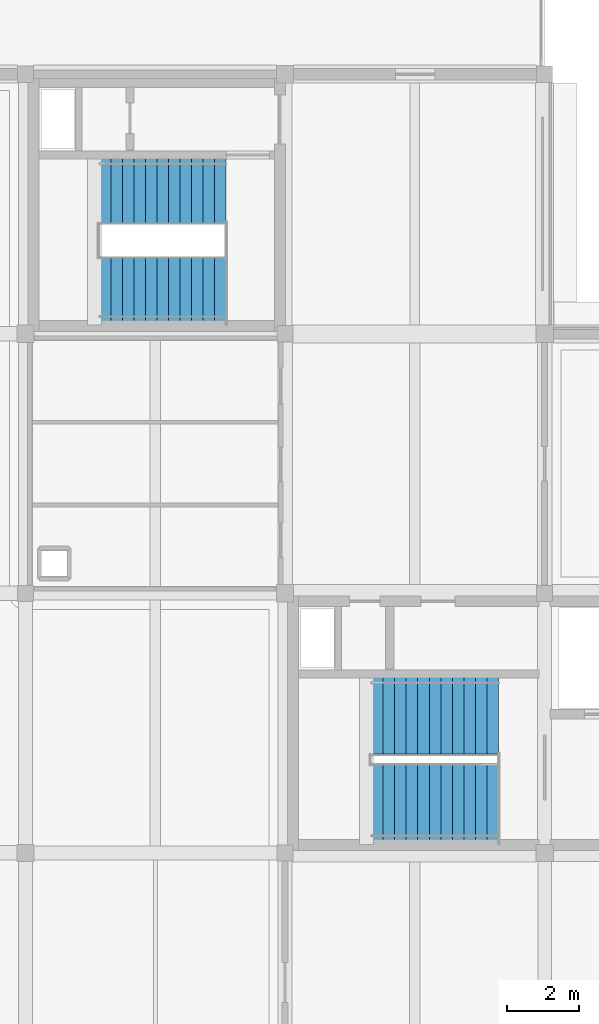
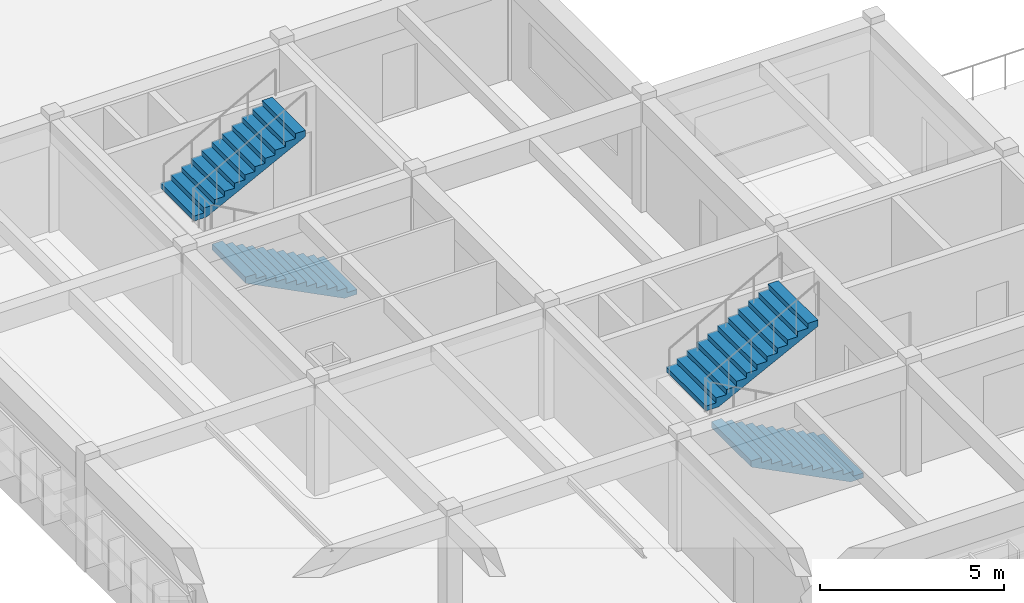
# One storey, part 5 of 7: 4 stair flights, 2 elements without a shape of their own.
"""IFC4 building model written with IfcOpenShell, lengths in metres."""

from ifc_helpers import new_model, si_unit, direction, frame, origin, place, context, subcontext, project, spatial, polyline, outline, extrude, material, type_object, element, aggregate, save


model = new_model("IFC4")

# Units and contexts
model_context = context("Model", 3, precision=1e-05, world=origin(), true_north=direction((0.0, 1.0)))
body_context = subcontext(model_context, "Body", "Model", "MODEL_VIEW")
ifc_project = project(units=[si_unit("LENGTHUNIT", "METRE"), si_unit("AREAUNIT", "SQUARE_METRE"), si_unit("VOLUMEUNIT", "CUBIC_METRE"), si_unit("PLANEANGLEUNIT", "RADIAN"), si_unit("MASSUNIT", "GRAM", prefix="KILO")], contexts=[model_context])

# Site, building, storey
site_placement = place(None, origin())
site = spatial("IfcSite", under=ifc_project, at=site_placement, CompositionType="ELEMENT")
building_placement = place(site_placement, origin())
building = spatial("IfcBuilding", under=site, at=building_placement, Name="Thalmaran Polytechnic", CompositionType="ELEMENT")
storey_placement = place(building_placement, frame((0.0, 0.0, 30.60009765625)))
storey = spatial("IfcBuildingStorey", under=building, at=storey_placement, Name="L07", CompositionType="ELEMENT", Elevation=30.60009765625)

# Stair, stair flights
ifc_material = material(Name="Concrete C40/50", Category="concrete")
stair_type = type_object("IfcStairType", Name="ST-HT39", PredefinedType="HALF_TURN_STAIR", material=ifc_material)
stair_1_placement = place(storey_placement, origin())
stair_1 = element("IfcStair", 1, at=stair_1_placement, inside=storey, type_object=stair_type, Name="Exit Stair ST1 L07", PredefinedType="HALF_TURN_STAIR")
stair_flight_type = type_object("IfcStairFlightType", Name="SF-FL12", PredefinedType="STRAIGHT", material=ifc_material)
stair_flight_1_placement = place(storey_placement, frame((20.320068359375, 8.56005859375, 0.0), z_axis=(0.0, 0.0, 1.0), x_axis=(-1.0, 0.0, 0.0)))
stair_flight_1 = element("IfcStairFlight", 2, at=stair_flight_1_placement, type_object=stair_flight_type, Name="Stair Flight ST1 L07 Lower", NumberOfRisers=12, NumberOfTreads=11, PredefinedType="STRAIGHT", RiserHeight=0.1625, TreadLength=0.32, context=body_context, shape_type="SweptSolid", body=[
    extrude(outline(polyline([(0.0, 0.0), (0.0, 0.16259765625), (0.320068359375, 0.16259765625), (0.320068359375, 0.324951171875), (0.639892578125, 0.324951171875), (0.639892578125, 0.487548828125), (0.9599609375, 0.487548828125), (0.9599609375, 0.64990234375), (1.280029296875, 0.64990234375), (1.280029296875, 0.8125), (1.60009765625, 0.8125), (1.60009765625, 0.97509765625), (1.919921875, 0.97509765625), (1.919921875, 1.137451171875), (2.239990234375, 1.137451171875), (2.239990234375, 1.300048828125), (2.56005859375, 1.300048828125), (2.56005859375, 1.46240234375), (2.8798828125, 1.46240234375), (2.8798828125, 1.625), (3.199951171875, 1.625), (3.199951171875, 1.78759765625), (3.52001953125, 1.78759765625), (3.52001953125, 1.949951171875), (3.52001953125, 1.585693359375), (0.3974609375, 0.0), (0.0, 0.0)])), frame((0.0, 1.080078125, 0.0), z_axis=(0.0, -1.0, 0.0), x_axis=(1.0, 0.0, 0.0)), (0.0, 0.0, 1.0), 2.159912109375),
])
stair_flight_2_placement = place(storey_placement, frame((16.800048828125, 11.02001953125, 1.949951171875), z_axis=(0.0, 0.0, 1.0), x_axis=(1.0, 0.0, 0.0)))
stair_flight_2 = element("IfcStairFlight", 3, at=stair_flight_2_placement, type_object=stair_flight_type, Name="Stair Flight ST1 L07 Upper", NumberOfRisers=12, NumberOfTreads=11, PredefinedType="STRAIGHT", RiserHeight=0.1625, TreadLength=0.32, context=body_context, shape_type="SweptSolid", body=[
    extrude(outline(polyline([(0.0, 0.0), (0.0, 0.16259765625), (0.320068359375, 0.16259765625), (0.320068359375, 0.324951171875), (0.639892578125, 0.324951171875), (0.639892578125, 0.487548828125), (0.9599609375, 0.487548828125), (0.9599609375, 0.64990234375), (1.280029296875, 0.64990234375), (1.280029296875, 0.8125), (1.60009765625, 0.8125), (1.60009765625, 0.97509765625), (1.919921875, 0.97509765625), (1.919921875, 1.137451171875), (2.239990234375, 1.137451171875), (2.239990234375, 1.300048828125), (2.56005859375, 1.300048828125), (2.56005859375, 1.46240234375), (2.8798828125, 1.46240234375), (2.8798828125, 1.625), (3.199951171875, 1.625), (3.199951171875, 1.78759765625), (3.52001953125, 1.78759765625), (3.52001953125, 1.949951171875), (3.52001953125, 1.585693359375), (0.3974609375, 0.0), (0.0, 0.0)])), frame((0.0, 1.080078125, 0.0), z_axis=(0.0, -1.0, 0.0), x_axis=(1.0, 0.0, 0.0)), (0.0, 0.0, 1.0), 2.159912109375),
])
aggregate(stair_1, [stair_flight_1, stair_flight_2])

stair_2_placement = place(storey_placement, origin())
stair_2 = element("IfcStair", 4, at=stair_2_placement, inside=storey, type_object=stair_type, Name="Exit Stair ST3 L07", PredefinedType="HALF_TURN_STAIR")
stair_flight_3_placement = place(storey_placement, frame((12.760009765625, 22.7900390625, 0.0), z_axis=(0.0, 0.0, 1.0), x_axis=(-1.0, 0.0, 0.0)))
stair_flight_3 = element("IfcStairFlight", 5, at=stair_flight_3_placement, type_object=stair_flight_type, Name="Stair Flight ST3 L07 Lower", NumberOfRisers=12, NumberOfTreads=11, PredefinedType="STRAIGHT", RiserHeight=0.1625, TreadLength=0.318182, context=body_context, shape_type="SweptSolid", body=[
    extrude(outline(polyline([(0.0, 0.0), (0.0, 0.16259765625), (0.318115234375, 0.16259765625), (0.318115234375, 0.324951171875), (0.636474609375, 0.324951171875), (0.636474609375, 0.487548828125), (0.95458984375, 0.487548828125), (0.95458984375, 0.64990234375), (1.272705078125, 0.64990234375), (1.272705078125, 0.8125), (1.5908203125, 0.8125), (1.5908203125, 0.97509765625), (1.9091796875, 0.97509765625), (1.9091796875, 1.137451171875), (2.227294921875, 1.137451171875), (2.227294921875, 1.300048828125), (2.54541015625, 1.300048828125), (2.54541015625, 1.46240234375), (2.863525390625, 1.46240234375), (2.863525390625, 1.625), (3.181884765625, 1.625), (3.181884765625, 1.78759765625), (3.5, 1.78759765625), (3.5, 1.949951171875), (3.5, 1.58544921875), (0.3955078125, 0.0), (0.0, 0.0)])), frame((0.0, 0.91015625, 0.0), z_axis=(0.0, -1.0, 0.0), x_axis=(1.0, 0.0, 0.0)), (0.0, 0.0, 1.0), 1.820068359375),
])
stair_flight_4_placement = place(storey_placement, frame((9.260009765625, 25.590087890625, 1.949951171875), z_axis=(0.0, 0.0, 1.0), x_axis=(1.0, 0.0, 0.0)))
stair_flight_4 = element("IfcStairFlight", 6, at=stair_flight_4_placement, type_object=stair_flight_type, Name="Stair Flight ST3 L07 Upper", NumberOfRisers=12, NumberOfTreads=11, PredefinedType="STRAIGHT", RiserHeight=0.1625, TreadLength=0.318182, context=body_context, shape_type="SweptSolid", body=[
    extrude(outline(polyline([(0.0, 0.0), (0.0, 0.16259765625), (0.318115234375, 0.16259765625), (0.318115234375, 0.324951171875), (0.636474609375, 0.324951171875), (0.636474609375, 0.487548828125), (0.95458984375, 0.487548828125), (0.95458984375, 0.64990234375), (1.272705078125, 0.64990234375), (1.272705078125, 0.8125), (1.5908203125, 0.8125), (1.5908203125, 0.97509765625), (1.9091796875, 0.97509765625), (1.9091796875, 1.137451171875), (2.227294921875, 1.137451171875), (2.227294921875, 1.300048828125), (2.54541015625, 1.300048828125), (2.54541015625, 1.46240234375), (2.863525390625, 1.46240234375), (2.863525390625, 1.625), (3.181884765625, 1.625), (3.181884765625, 1.78759765625), (3.5, 1.78759765625), (3.5, 1.949951171875), (3.5, 1.58544921875), (0.3955078125, 0.0), (0.0, 0.0)])), frame((0.0, 0.91015625, 0.0), z_axis=(0.0, -1.0, 0.0), x_axis=(1.0, 0.0, 0.0)), (0.0, 0.0, 1.0), 1.820068359375),
])
aggregate(stair_2, [stair_flight_3, stair_flight_4])

save(model, "model.ifc")
